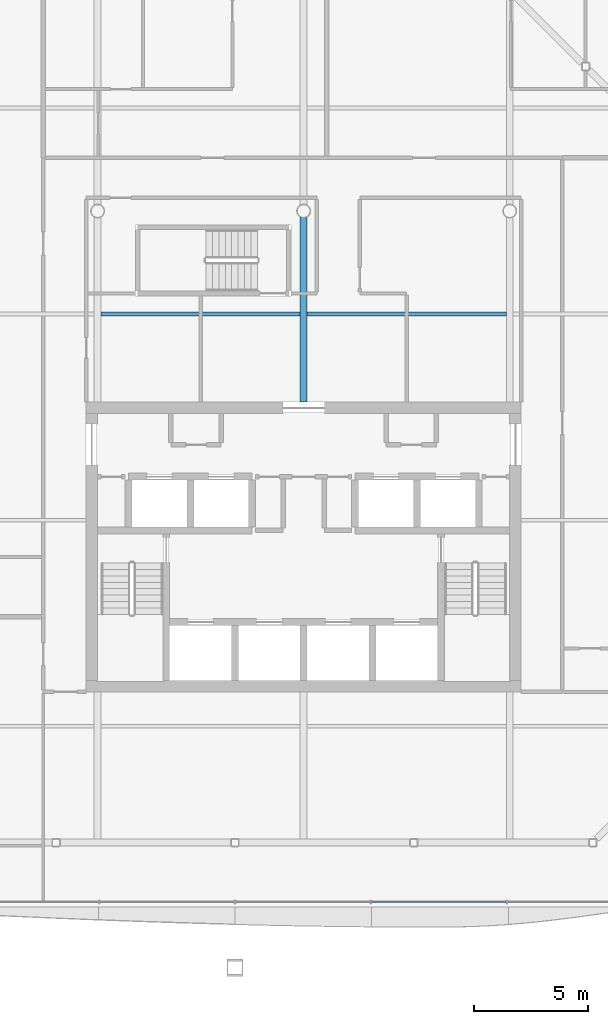
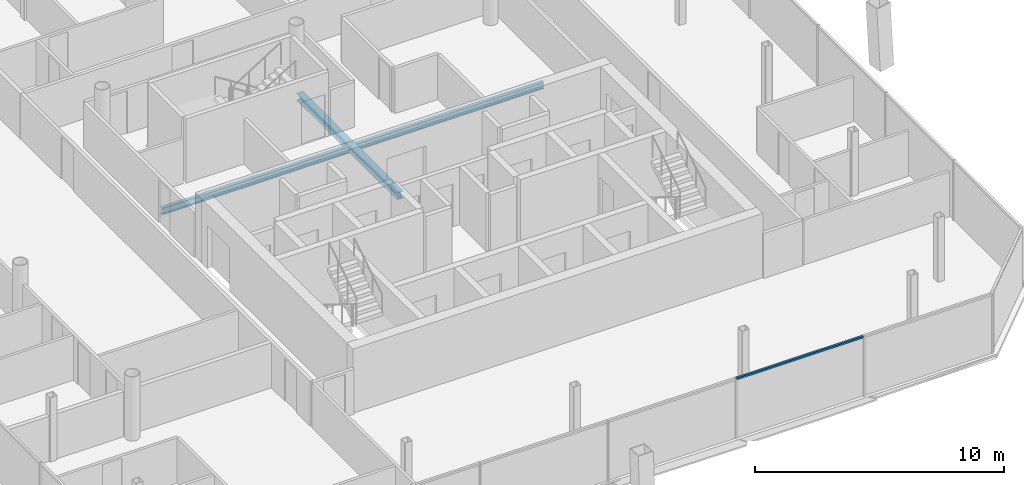
# One storey, part 7 of 20: 3 beams, 1 member, 1 element without a shape of its own.
"""IFC4 building model written with IfcOpenShell, lengths in metres."""

from ifc_helpers import new_model, si_unit, direction, frame, origin, origin_2d, place, context, subcontext, project, spatial, rectangle, i_section, extrude, material, material_profile, profile_set, type_object, element, aggregate, save


model = new_model("IFC4")

# Units and contexts
model_context = context("Model", 3, precision=1e-05, world=origin(), true_north=direction((0.0, 1.0)))
body_context = subcontext(model_context, "Body", "Model", "MODEL_VIEW")
ifc_project = project(units=[si_unit("LENGTHUNIT", "METRE"), si_unit("AREAUNIT", "SQUARE_METRE"), si_unit("VOLUMEUNIT", "CUBIC_METRE"), si_unit("PLANEANGLEUNIT", "RADIAN"), si_unit("MASSUNIT", "GRAM", prefix="KILO")], contexts=[model_context])

# Site, building, storey
site_placement = place(None, origin())
site = spatial("IfcSite", under=ifc_project, at=site_placement, CompositionType="ELEMENT")
building_placement = place(site_placement, origin())
building = spatial("IfcBuilding", under=site, at=building_placement, Name="Tskaro Facet Tower", CompositionType="ELEMENT")
storey_placement = place(building_placement, frame((0.0, 0.0, 175.35009765625)))
storey = spatial("IfcBuildingStorey", under=building, at=storey_placement, Name="L43", CompositionType="ELEMENT", Elevation=175.35009765625)

# Curtain wall, member
ifc_material_1 = material(Name="Bronze anodised aluminium 6063-T6", Category="aluminium")
curtain_wall_type = type_object("IfcCurtainWallType", Name="Bronze residence curtain wall (FW3)", PredefinedType="NOTDEFINED", material=ifc_material_1)
curtain_wall_placement = place(storey_placement, origin())
curtain_wall = element("IfcCurtainWall", 1, at=curtain_wall_placement, inside=storey, type_object=curtain_wall_type, Name="FW3 south facet L43", PredefinedType="NOTDEFINED")
ifc_material_profile_1 = material_profile(ifc_material_1, rectangle(XDim=0.10009765625, YDim=0.090087890625, at=origin_2d()), Name="Transom 100x90")
ifc_profile_set_1 = profile_set([ifc_material_profile_1], Name="Bronze anodised aluminium 6063-T6")
member_type = type_object("IfcMemberType", Name="FW3 bronze transom 100x90", PredefinedType="USERDEFINED", material=ifc_profile_set_1)
member_placement = place(storey_placement, frame((2.958251953125, -21.176025390625, 2.90478515625), z_axis=(1.0, 0.0, 0.0), x_axis=(0.0, 1.0, 0.0)))
member = element("IfcMember", 2, at=member_placement, type_object=member_type, Name="FW3 south transom 5.1", ObjectType="TRANSOM", PredefinedType="USERDEFINED", context=body_context, shape_type="SweptSolid", body=[
    extrude(rectangle(XDim=0.10009765625, YDim=0.090087890625, at=origin_2d()), origin(), (0.0, 0.0, 1.0), 5.88330078125),
])
aggregate(curtain_wall, [member])

# Beams
ifc_material_2 = material(Name="Steel S355J2", Category="steel")
ifc_material_profile_2 = material_profile(ifc_material_2, i_section(OverallWidth=0.300048828125, OverallDepth=0.35009765625, WebThickness=0.010009765625, FlangeThickness=0.017578125, FilletRadius=0.027099609375, at=origin_2d()), Name="HE 360 A")
ifc_profile_set_2 = profile_set([ifc_material_profile_2], Name="Steel S355J2")
beam_type_1 = type_object("IfcBeamType", Name="HE 360 A girder", PredefinedType="BEAM", material=ifc_profile_set_2)
beam_placement = place(storey_placement, frame((0.0, 0.64990234375, -0.315185546875), z_axis=(0.0, 1.0, 0.0), x_axis=(-1.0, 0.0, 0.0)))
element("IfcBeam", 3, at=beam_placement, inside=storey, type_object=beam_type_1, Name="HE 360 A GB4-2-4", PredefinedType="BEAM", context=body_context, shape_type="SweptSolid", body=[
    extrude(i_section(OverallWidth=0.300048828125, OverallDepth=0.35009765625, WebThickness=0.010009765625, FlangeThickness=0.017578125, FilletRadius=0.027099609375, at=origin_2d()), origin(), (0.0, 0.0, 1.0), 8.0751953125),
])
ifc_material_profile_3 = material_profile(ifc_material_2, i_section(OverallWidth=0.159912109375, OverallDepth=0.330078125, WebThickness=0.007568359375, FlangeThickness=0.011474609375, FilletRadius=0.01806640625, at=origin_2d()), Name="IPE 330")
ifc_profile_set_3 = profile_set([ifc_material_profile_3], Name="Steel S355J2")
beam_type_2 = type_object("IfcBeamType", Name="IPE 330 secondary beam", PredefinedType="BEAM", material=ifc_profile_set_3)
for number, where, z_axis, x_axis, name in (
    (4, (-8.85009765625, 4.5, -0.30517578125), (1.0, 0.0, 0.0), (0.0, 1.0, 0.0), "IPE 330 SB4a-3-4"),
    (5, (0.14990234375, 4.5, -0.30517578125), (1.0, 0.0, 0.0), (0.0, 1.0, 0.0), "IPE 330 SB4a-4-4"),
):
    element("IfcBeam", number, at=place(storey_placement, frame(where, z_axis=z_axis, x_axis=x_axis)), inside=storey, type_object=beam_type_2, Name=name, PredefinedType="BEAM", context=body_context, shape_type="SweptSolid", body=[
        extrude(i_section(OverallWidth=0.159912109375, OverallDepth=0.330078125, WebThickness=0.007568359375, FlangeThickness=0.011474609375, FilletRadius=0.01806640625, at=origin_2d()), origin(), (0.0, 0.0, 1.0), 8.7001953125),
    ])

save(model, "model.ifc")
